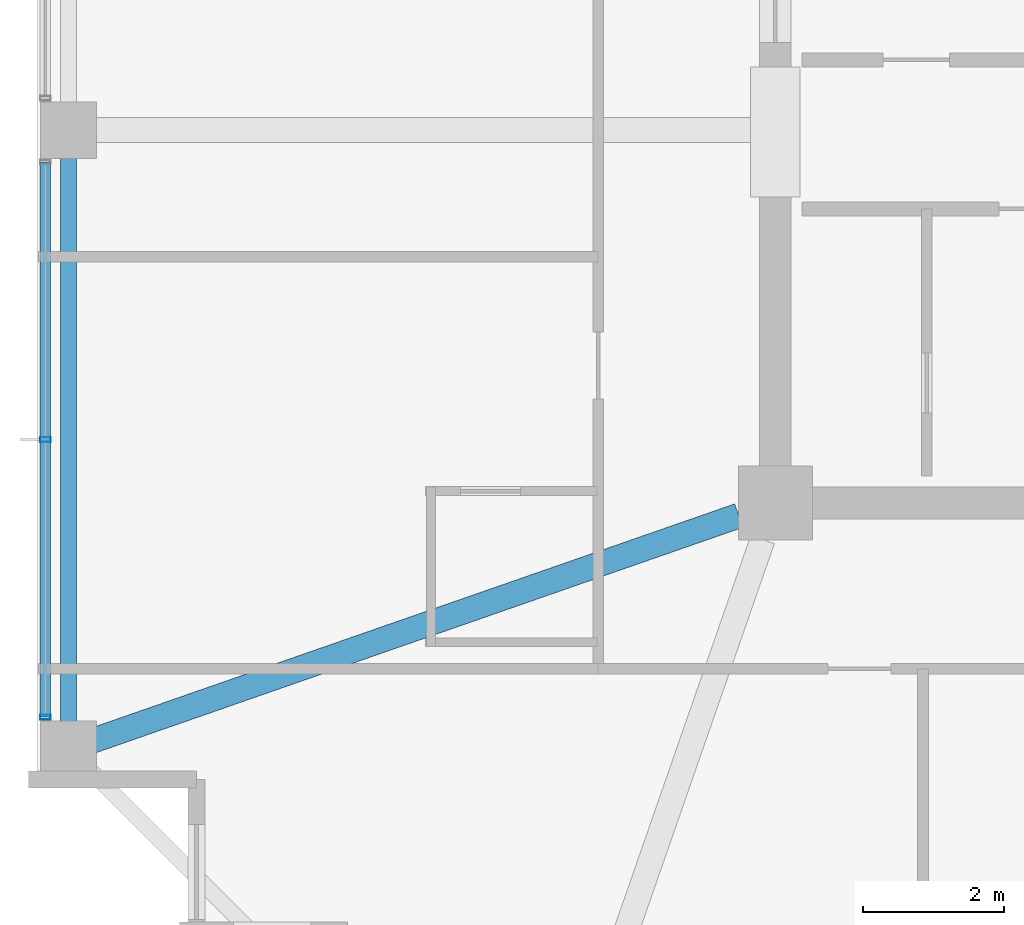
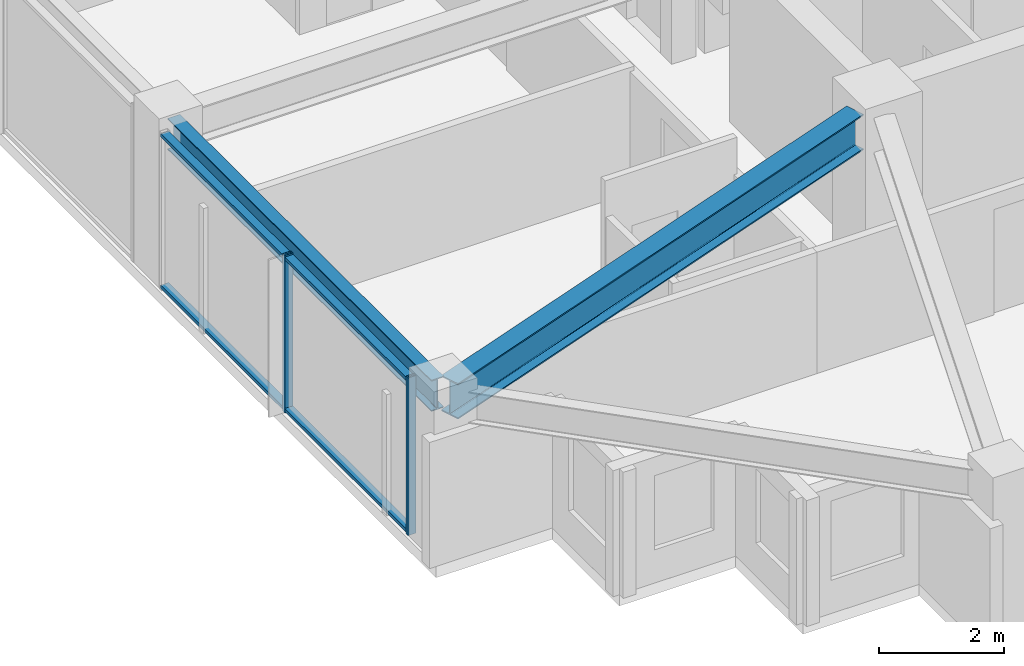
# One storey, part 4 of 36: 4 members, 2 beams, 1 element without a shape of its own.
"""IFC4 building model written with IfcOpenShell, lengths in metres."""

from ifc_helpers import new_model, si_unit, direction, frame, origin, origin_2d, place, context, subcontext, project, spatial, hollow_rectangle, i_section, extrude, material, material_profile, profile_set, type_object, element, aggregate, save


model = new_model("IFC4")

# Units and contexts
model_context = context("Model", 3, precision=1e-05, world=origin(), true_north=direction((0.0, 1.0)))
body_context = subcontext(model_context, "Body", "Model", "MODEL_VIEW")
ifc_project = project(units=[si_unit("LENGTHUNIT", "METRE"), si_unit("AREAUNIT", "SQUARE_METRE"), si_unit("VOLUMEUNIT", "CUBIC_METRE"), si_unit("PLANEANGLEUNIT", "RADIAN"), si_unit("MASSUNIT", "GRAM", prefix="KILO")], contexts=[model_context])

# Site, building, storey
site_placement = place(None, origin())
site = spatial("IfcSite", under=ifc_project, at=site_placement, CompositionType="ELEMENT")
building_placement = place(site_placement, origin())
building = spatial("IfcBuilding", under=site, at=building_placement, Name="Kolvaren Belvedere", CompositionType="ELEMENT")
storey_placement = place(building_placement, frame((0.0, 0.0, 226.199951171875)))
storey = spatial("IfcBuildingStorey", under=building, at=storey_placement, Name="L66", CompositionType="ELEMENT", Elevation=226.199951171875)

# Beams
ifc_material_1 = material(Name="Structural steel ASTM A992 Grade 50", Category="steel")
ifc_material_profile_1 = material_profile(ifc_material_1, i_section(OverallWidth=0.35498046875, OverallDepth=0.696044921875, WebThickness=0.015380859375, FlangeThickness=0.02490234375, FilletRadius=0.02197265625, at=origin_2d()), Name="W27X146")
ifc_profile_set_1 = profile_set([ifc_material_profile_1], Name="Structural steel ASTM A992 Grade 50")
beam_type_1 = type_object("IfcBeamType", Name="BM-GIRD-W27X146", PredefinedType="BEAM", material=ifc_profile_set_1)
beam_1_placement = place(storey_placement, frame((-10.41943359375, -10.080810546875, 2.73193359375), z_axis=(-0.944365399758, -0.328898147971, 0.0), x_axis=(0.328898147971, -0.944365399758, 0.0)))
element("IfcBeam", 1, at=beam_1_placement, inside=storey, type_object=beam_type_1, Name="L66 Corner Core-to-Perimeter Girder CC1-W1", PredefinedType="BEAM", context=body_context, shape_type="SweptSolid", body=[
    extrude(i_section(OverallWidth=0.35498046875, OverallDepth=0.696044921875, WebThickness=0.015380859375, FlangeThickness=0.02490234375, FilletRadius=0.02197265625, at=origin_2d()), origin(), (0.0, 0.0, 1.0), 9.931884765625),
])
ifc_material_2 = material(Name="Structural steel ASTM A992 Grade 50", Category="steel")
ifc_material_profile_2 = material_profile(ifc_material_2, i_section(OverallWidth=0.22900390625, OverallDepth=0.612060546875, WebThickness=0.011962890625, FlangeThickness=0.01953125, FilletRadius=0.01806640625, at=origin_2d()), Name="W24X84")
ifc_profile_set_2 = profile_set([ifc_material_profile_2], Name="Structural steel ASTM A992 Grade 50")
beam_type_2 = type_object("IfcBeamType", Name="BM-SPAN-W24X84", PredefinedType="SPANDREL", material=ifc_profile_set_2)
beam_2_placement = place(storey_placement, frame((-19.949951171875, -4.780029296875, 2.774169921875), z_axis=(0.0, -1.0, 0.0), x_axis=(1.0, 0.0, 0.0)))
element("IfcBeam", 2, at=beam_2_placement, inside=storey, type_object=beam_type_2, Name="L66 Perimeter Spandrel W2-W1", PredefinedType="SPANDREL", context=body_context, shape_type="SweptSolid", body=[
    extrude(i_section(OverallWidth=0.22900390625, OverallDepth=0.612060546875, WebThickness=0.011962890625, FlangeThickness=0.01953125, FilletRadius=0.01806640625, at=origin_2d()), origin(), (0.0, 0.0, 1.0), 8.43994140625),
])

# Curtain wall, members
ifc_material_3 = material(Name="Anodised pale-metal aluminium AA 6063-T6", Category="aluminium")
curtain_wall_type = type_object("IfcCurtainWallType", Name="CW-Z5-HIGH", PredefinedType="NOTDEFINED", material=ifc_material_3)
curtain_wall_placement = place(storey_placement, origin())
curtain_wall = element("IfcCurtainWall", 3, at=curtain_wall_placement, inside=storey, type_object=curtain_wall_type, Name="L66 Unitised Curtain Wall FCW-L66-W-B1", PredefinedType="NOTDEFINED")
ifc_material_4 = material(Name="Anodised pale-metal aluminium AA 6063-T6", Category="aluminium")
ifc_material_profile_3 = material_profile(ifc_material_4, hollow_rectangle(XDim=0.070068359375, YDim=0.14990234375, WallThickness=0.004150390625, at=origin_2d()), Name="ALU-MUL-150X70")
ifc_profile_set_3 = profile_set([ifc_material_profile_3], Name="Anodised pale-metal aluminium AA 6063-T6")
member_type_1 = type_object("IfcMemberType", Name="CW-MUL-150", PredefinedType="MULLION", material=ifc_profile_set_3)
member_1_placement = place(storey_placement, frame((-20.280029296875, -12.945068359375, 0.0), z_axis=(0.0, 0.0, 1.0), x_axis=(0.0, 1.0, 0.0)))
member_1 = element("IfcMember", 4, at=member_1_placement, type_object=member_type_1, Name="FCW-L66-W-B1 Unitised Mullion 1", PredefinedType="MULLION", context=body_context, shape_type="SweptSolid", body=[
    extrude(hollow_rectangle(XDim=0.070068359375, YDim=0.14990234375, WallThickness=0.004150390625, at=origin_2d()), origin(), (0.0, 0.0, 1.0), 3.080078125),
])
member_2_placement = place(storey_placement, frame((-20.280029296875, -9.0, 0.0), z_axis=(0.0, 0.0, 1.0), x_axis=(0.0, 1.0, 0.0)))
member_2 = element("IfcMember", 5, at=member_2_placement, type_object=member_type_1, Name="FCW-L66-W-B1 Unitised Mullion 2", PredefinedType="MULLION", context=body_context, shape_type="SweptSolid", body=[
    extrude(hollow_rectangle(XDim=0.070068359375, YDim=0.14990234375, WallThickness=0.004150390625, at=origin_2d()), origin(), (0.0, 0.0, 1.0), 3.080078125),
])
ifc_material_5 = material(Name="Anodised pale-metal aluminium AA 6063-T6", Category="aluminium")
ifc_material_profile_4 = material_profile(ifc_material_5, hollow_rectangle(XDim=0.06494140625, YDim=0.14990234375, WallThickness=0.00390625, at=origin_2d()), Name="ALU-TRN-150X65")
ifc_profile_set_4 = profile_set([ifc_material_profile_4], Name="Anodised pale-metal aluminium AA 6063-T6")
member_type_2 = type_object("IfcMemberType", Name="CW-TRN-150", PredefinedType="USERDEFINED", material=ifc_profile_set_4)
member_3_placement = place(storey_placement, frame((-20.280029296875, -12.945068359375, 0.06005859375), z_axis=(0.0, 1.0, 0.0), x_axis=(0.0, 0.0, 1.0)))
member_3 = element("IfcMember", 6, at=member_3_placement, type_object=member_type_2, Name="FCW-L66-W-B1 Sill Transom", ObjectType="TRANSOM", PredefinedType="USERDEFINED", context=body_context, shape_type="SweptSolid", body=[
    extrude(hollow_rectangle(XDim=0.06494140625, YDim=0.14990234375, WallThickness=0.00390625, at=origin_2d()), origin(), (0.0, 0.0, 1.0), 7.89013671875),
])
member_4_placement = place(storey_placement, frame((-20.280029296875, -12.945068359375, 3.02001953125), z_axis=(0.0, 1.0, 0.0), x_axis=(0.0, 0.0, 1.0)))
member_4 = element("IfcMember", 7, at=member_4_placement, type_object=member_type_2, Name="FCW-L66-W-B1 Head Transom", ObjectType="TRANSOM", PredefinedType="USERDEFINED", context=body_context, shape_type="SweptSolid", body=[
    extrude(hollow_rectangle(XDim=0.06494140625, YDim=0.14990234375, WallThickness=0.00390625, at=origin_2d()), origin(), (0.0, 0.0, 1.0), 7.89013671875),
])
aggregate(curtain_wall, [member_1, member_2, member_3, member_4])

save(model, "model.ifc")
